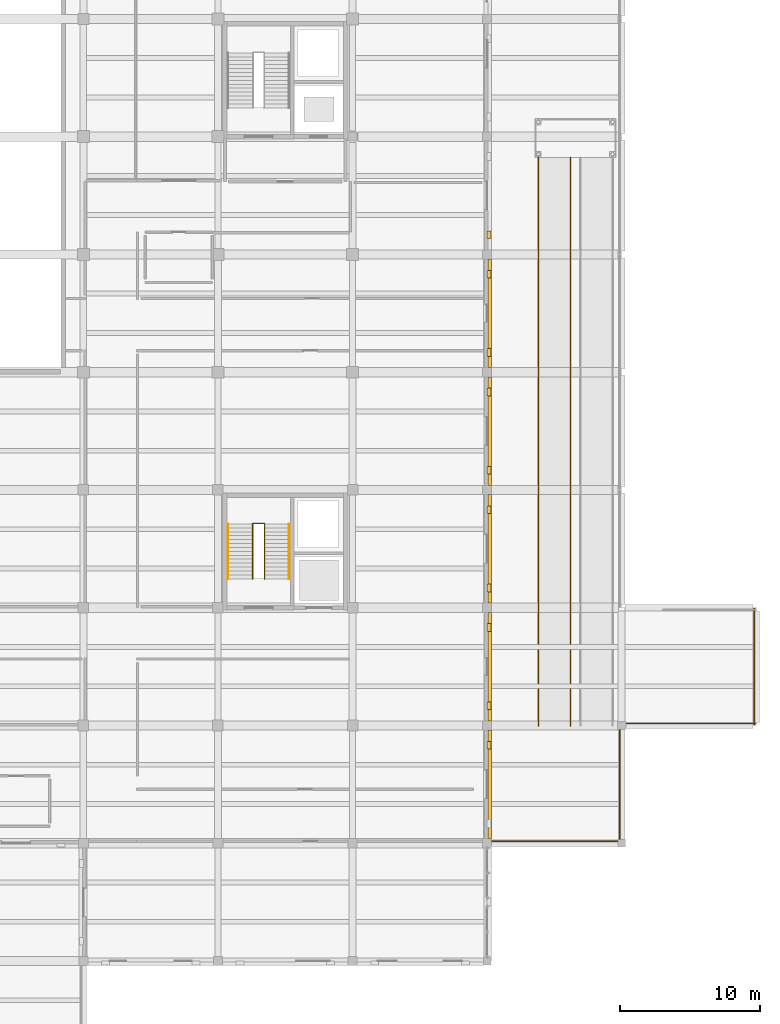
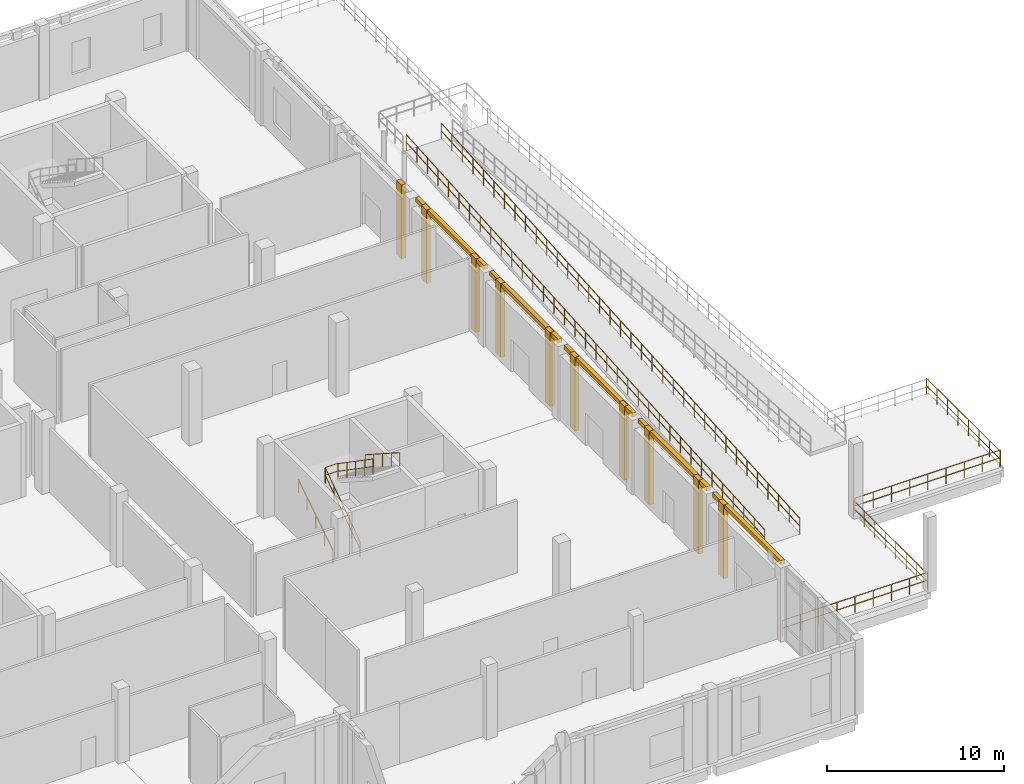
# One storey, part 68 of 71: 15 coverings, 11 railings.
"""IFC4 building model written with IfcOpenShell, lengths in metres."""

import ifcopenshell
import ifcopenshell.guid

model = None  # the IFC model being written
_history = None  # IfcOwnerHistory: only IFC2X3 demands one
_inside = {}  # id of a spatial element -> (the spatial element, [elements in it])
_under = {}  # id of a project, library or spatial element -> (it, [spatial elements below it])
_declared = {}  # id of a project -> (the project, [libraries it declares])
_typed = {}  # id of a type object -> (the type object, [elements of that type])
_made_of = {}  # id of a material, layer set ... -> (it, [elements and type objects made of it])


def new_model(schema):
    """Start an empty IFC model of exactly this schema.

    Asked for "IFC4X3", IfcOpenShell would pick the latest addendum, in which some entities
    have other attributes; the version numbers below select the first issue.
    IFC2X3 requires an IfcOwnerHistory on every rooted entity: one is made here for all.
    """
    global model, _history
    if schema == "IFC4X3":
        model = ifcopenshell.file(schema_version=(4, 3, 0, 0))
    else:
        model = ifcopenshell.file(schema=schema)
    _inside.clear()
    _under.clear()
    _declared.clear()
    _typed.clear()
    _made_of.clear()
    _history = None
    if model.schema == "IFC2X3":
        org = make("IfcOrganization", Name="unknown")
        user = make(
            "IfcPersonAndOrganization",
            ThePerson=make("IfcPerson", FamilyName="unknown"),
            TheOrganization=org,
        )
        app = make(
            "IfcApplication",
            ApplicationDeveloper=org,
            Version="unknown",
            ApplicationFullName="unknown",
            ApplicationIdentifier="unknown",
        )
        _history = make(
            "IfcOwnerHistory",
            OwningUser=user,
            OwningApplication=app,
            ChangeAction="ADDED",
            CreationDate=0,
        )
    return model


def make(cls, **values):
    """One entity of the class cls with the attributes given. An attribute that is None is left unset."""
    return model.create_entity(
        cls, **{name: value for name, value in values.items() if value is not None}
    )


def rooted(cls, **values):
    """An entity with a GlobalId (a new one), such as an element, a storey or a relation."""
    return make(cls, GlobalId=ifcopenshell.guid.new(), OwnerHistory=_history, **values)


def si_unit(unit_type, name, prefix=None):
    """IfcSIUnit, for example si_unit("LENGTHUNIT", "METRE", prefix="MILLI")."""
    return make("IfcSIUnit", UnitType=unit_type, Prefix=prefix, Name=name)


def assignment(units):
    """IfcUnitAssignment: the units of a project."""
    return None if units is None else make("IfcUnitAssignment", Units=units)


def point(xyz):
    """IfcCartesianPoint."""
    return None if xyz is None else make("IfcCartesianPoint", Coordinates=xyz)


def direction(xyz):
    """IfcDirection."""
    return None if xyz is None else make("IfcDirection", DirectionRatios=xyz)


def frame(location, z_axis=None, x_axis=None):
    """IfcAxis2Placement3D, a coordinate frame: its origin and axes. An axis left out is left unset."""
    return make(
        "IfcAxis2Placement3D",
        Location=point(location),
        Axis=direction(z_axis),
        RefDirection=direction(x_axis),
    )


def frame_2d(location, x_axis=None):
    """IfcAxis2Placement2D, a coordinate frame in the plane: its origin and x axis."""
    return make(
        "IfcAxis2Placement2D", Location=point(location), RefDirection=direction(x_axis)
    )


def origin():
    """The frame at (0, 0, 0) with its axes left unset."""
    return frame((0.0, 0.0, 0.0))


def origin_2d():
    """The frame at (0, 0) in the plane with its x axis left unset."""
    return frame_2d((0.0, 0.0))


def place(relative_to, where):
    """IfcLocalPlacement: puts the frame where relative to a parent placement (None: the world)."""
    return make(
        "IfcLocalPlacement", PlacementRelTo=relative_to, RelativePlacement=where
    )


def context(
    kind, dimensions, precision=None, world=None, true_north=None, identifier=None
):
    """IfcGeometricRepresentationContext, for example the 3D "Model" context."""
    return make(
        "IfcGeometricRepresentationContext",
        ContextIdentifier=identifier,
        ContextType=kind,
        CoordinateSpaceDimension=dimensions,
        Precision=precision,
        WorldCoordinateSystem=world,
        TrueNorth=true_north,
    )


def subcontext(parent, identifier, kind, view, scale=None):
    """IfcGeometricRepresentationSubContext, for example "Body" below "Model"."""
    return make(
        "IfcGeometricRepresentationSubContext",
        ContextIdentifier=identifier,
        ContextType=kind,
        ParentContext=parent,
        TargetScale=scale,
        TargetView=view,
    )


def project(units=None, contexts=None):
    """IfcProject with its units and contexts."""
    return rooted(
        "IfcProject",
        Name="project",
        RepresentationContexts=contexts,
        UnitsInContext=assignment(units),
    )


def spatial(cls, under=None, at=None, **own):
    """A site, building, storey or space (cls), placed at a placement, below another one or the project."""
    s = rooted(cls, ObjectPlacement=at, **own)
    if under is not None:
        _under.setdefault(under.id(), (under, []))[1].append(s)
    return s


def polyline(points):
    """IfcPolyline through the points."""
    return make("IfcPolyline", Points=[point(p) for p in points])


def profile(cls, at=None, kind="AREA", **sizes):
    """A parametric profile (cls). Its sizes go by their IFC names, for example OverallWidth=200.0."""
    return make(cls, ProfileType=kind, Position=at, **sizes)


def circle(**sizes):
    """IfcCircleProfileDef."""
    return profile("IfcCircleProfileDef", **sizes)


def outline(outer, holes=None, kind="AREA"):
    """IfcArbitraryClosedProfileDef: a profile drawn as a closed curve; with holes, ...WithVoids."""
    if holes is None:
        return make("IfcArbitraryClosedProfileDef", ProfileType=kind, OuterCurve=outer)
    return make(
        "IfcArbitraryProfileDefWithVoids",
        ProfileType=kind,
        OuterCurve=outer,
        InnerCurves=holes,
    )


def extrude(swept, where, along, depth):
    """IfcExtrudedAreaSolid: the profile swept, set in the frame where, extruded along a direction by depth."""
    return make(
        "IfcExtrudedAreaSolid",
        SweptArea=swept,
        Position=where,
        ExtrudedDirection=direction(along),
        Depth=depth,
    )


def shape(context_of_items, identifier, shape_type, items):
    """IfcShapeRepresentation: the items that make up one representation, for example the "Body"."""
    return make(
        "IfcShapeRepresentation",
        ContextOfItems=context_of_items,
        RepresentationIdentifier=identifier,
        RepresentationType=shape_type,
        Items=items,
    )


def material(Name=None, Category=None):
    """IfcMaterial."""
    return make("IfcMaterial", Name=Name, Category=Category)


def layer(
    of_material, thickness, ventilated=None, Name=None, Category=None, Priority=None
):
    """IfcMaterialLayer: one layer of a wall or slab, of a material (None: an air gap)."""
    return make(
        "IfcMaterialLayer",
        Material=of_material,
        LayerThickness=thickness,
        IsVentilated=ventilated,
        Name=Name,
        Category=Category,
        Priority=Priority,
    )


def layer_set(layers, Name=None):
    """IfcMaterialLayerSet."""
    return make("IfcMaterialLayerSet", MaterialLayers=layers, LayerSetName=Name)


def made_of(thing, what):
    """Note that an element or type object is made of a material, layer set ...; save() writes the relation."""
    if what is not None:
        _made_of.setdefault(what.id(), (what, []))[1].append(thing)
    return thing


def type_object(cls, material=None, **own):
    """A type object (cls), such as IfcWallType, which elements share."""
    return made_of(rooted(cls, **own), material)


def element(
    cls,
    number,
    at=None,
    inside=None,
    cuts=None,
    type_object=None,
    material=None,
    context=None,
    identifier="Body",
    shape_type=None,
    held_by="IfcProductDefinitionShape",
    body=None,
    shapes=None,
    **own,
):
    """One element of the class cls, such as IfcWall. Its Tag is "e" and its number.

    at: its placement. inside: the storey or other place that contains it. cuts: it is an
    opening in that element (IfcRelVoidsElement). A single representation is given by context,
    identifier, shape_type and body (its items); several are given by shapes. held_by: the class
    of the entity that holds the representations. save() writes the other relations.
    """
    e = rooted(cls, Tag="e%d" % number, ObjectPlacement=at, **own)
    if body is not None:
        shapes = [shape(context, identifier, shape_type, body)]
    if shapes is not None:
        e.Representation = make(held_by, Representations=shapes)
    if inside is not None:
        _inside.setdefault(inside.id(), (inside, []))[1].append(e)
    if cuts is not None:
        rooted(
            "IfcRelVoidsElement", RelatingBuildingElement=cuts, RelatedOpeningElement=e
        )
    if type_object is not None:
        _typed.setdefault(type_object.id(), (type_object, []))[1].append(e)
    return made_of(e, material)


def aggregate(whole, parts):
    """IfcRelAggregates: a whole, such as a stair, and the parts it consists of."""
    return rooted("IfcRelAggregates", RelatingObject=whole, RelatedObjects=parts)


def save(model, path):
    """Write the relations noted so far, then the file.

    IfcRelAggregates (storeys below a building ...), IfcRelContainedInSpatialStructure (elements
    in a storey), IfcRelDefinesByType, IfcRelAssociatesMaterial and IfcRelDeclares: one each for
    every whole, place, type object, material and project.
    """
    for whole, parts in _under.values():
        aggregate(whole, parts)
    for where, things in _inside.values():
        rooted(
            "IfcRelContainedInSpatialStructure",
            RelatedElements=things,
            RelatingStructure=where,
        )
    for kind, things in _typed.values():
        rooted("IfcRelDefinesByType", RelatedObjects=things, RelatingType=kind)
    for what, things in _made_of.values():
        rooted("IfcRelAssociatesMaterial", RelatedObjects=things, RelatingMaterial=what)
    for by, libraries in _declared.values():
        rooted("IfcRelDeclares", RelatingContext=by, RelatedDefinitions=libraries)
    model.write(path)


model = new_model("IFC4")

# Units and contexts
model_context = context("Model", 3, precision=1e-05, world=origin(), true_north=direction((0.0, 1.0)))
body_context = subcontext(model_context, "Body", "Model", "MODEL_VIEW")
ifc_project = project(units=[si_unit("LENGTHUNIT", "METRE"), si_unit("AREAUNIT", "SQUARE_METRE"), si_unit("VOLUMEUNIT", "CUBIC_METRE"), si_unit("PLANEANGLEUNIT", "RADIAN"), si_unit("MASSUNIT", "GRAM", prefix="KILO")], contexts=[model_context])

# Site, building, storey
site_placement = place(None, origin())
site = spatial("IfcSite", under=ifc_project, at=site_placement, CompositionType="ELEMENT")
building_placement = place(site_placement, origin())
building = spatial("IfcBuilding", under=site, at=building_placement, Name="Lornevale Opera House", CompositionType="ELEMENT")
storey_placement = place(building_placement, origin())
storey = spatial("IfcBuildingStorey", under=building, at=storey_placement, Name="L01", CompositionType="ELEMENT", Elevation=0.0)

# Coverings
ifc_material_1 = material(Name="Precast Concrete 40 MPa (CSA A23.1 C-1)", Category="concrete")
ifc_layer_1 = layer(ifc_material_1, 0.260009765625)
ifc_layer_set_1 = layer_set([ifc_layer_1], Name="Precast Concrete 40 MPa (CSA A23.1 C-1)")
covering_type_1 = type_object("IfcCoveringType", Name="Postmodern Sandstone Pilaster Rib", PredefinedType="CLADDING", material=ifc_layer_set_1)
covering_1_placement = place(storey_placement, origin())
element("IfcCovering", 1, at=covering_1_placement, inside=storey, type_object=covering_type_1, Name="Postmodern Sandstone Pilaster 0160", PredefinedType="CLADDING", context=body_context, shape_type="SweptSolid", body=[
    extrude(outline(polyline([(153.60009765625, 24.070068359375), (153.60009765625, 23.510009765625), (153.8798828125, 23.510009765625), (153.8798828125, 24.070068359375), (153.60009765625, 24.070068359375)])), origin(), (0.0, 0.0, 1.0), 5.10009765625),
])
covering_2_placement = place(storey_placement, origin())
element("IfcCovering", 2, at=covering_2_placement, inside=storey, type_object=covering_type_1, Name="Postmodern Sandstone Pilaster 0163", PredefinedType="CLADDING", context=body_context, shape_type="SweptSolid", body=[
    extrude(outline(polyline([(153.60009765625, 32.469970703125), (153.60009765625, 31.909912109375), (153.8798828125, 31.909912109375), (153.8798828125, 32.469970703125), (153.60009765625, 32.469970703125)])), origin(), (0.0, 0.0, 1.0), 5.10009765625),
])
covering_3_placement = place(storey_placement, origin())
element("IfcCovering", 3, at=covering_3_placement, inside=storey, type_object=covering_type_1, Name="Postmodern Sandstone Pilaster 0164", PredefinedType="CLADDING", context=body_context, shape_type="SweptSolid", body=[
    extrude(outline(polyline([(153.60009765625, 26.889892578125), (153.60009765625, 26.330078125), (153.8798828125, 26.330078125), (153.8798828125, 26.889892578125), (153.60009765625, 26.889892578125)])), origin(), (0.0, 0.0, 1.0), 5.10009765625),
])
covering_4_placement = place(storey_placement, origin())
element("IfcCovering", 4, at=covering_4_placement, inside=storey, type_object=covering_type_1, Name="Postmodern Sandstone Pilaster 0166", PredefinedType="CLADDING", context=body_context, shape_type="SweptSolid", body=[
    extrude(outline(polyline([(153.60009765625, 40.8701171875), (153.60009765625, 40.31005859375), (153.8798828125, 40.31005859375), (153.8798828125, 40.8701171875), (153.60009765625, 40.8701171875)])), origin(), (0.0, 0.0, 1.0), 5.10009765625),
])
covering_5_placement = place(storey_placement, origin())
element("IfcCovering", 5, at=covering_5_placement, inside=storey, type_object=covering_type_1, Name="Postmodern Sandstone Pilaster 0167", PredefinedType="CLADDING", context=body_context, shape_type="SweptSolid", body=[
    extrude(outline(polyline([(153.60009765625, 35.2900390625), (153.60009765625, 34.72998046875), (153.8798828125, 34.72998046875), (153.8798828125, 35.2900390625), (153.60009765625, 35.2900390625)])), origin(), (0.0, 0.0, 1.0), 5.10009765625),
])
covering_6_placement = place(storey_placement, origin())
element("IfcCovering", 6, at=covering_6_placement, inside=storey, type_object=covering_type_1, Name="Postmodern Sandstone Pilaster 0169", PredefinedType="CLADDING", context=body_context, shape_type="SweptSolid", body=[
    extrude(outline(polyline([(153.60009765625, 49.27001953125), (153.60009765625, 48.7099609375), (153.8798828125, 48.7099609375), (153.8798828125, 49.27001953125), (153.60009765625, 49.27001953125)])), origin(), (0.0, 0.0, 1.0), 5.10009765625),
])
covering_7_placement = place(storey_placement, origin())
element("IfcCovering", 7, at=covering_7_placement, inside=storey, type_object=covering_type_1, Name="Postmodern Sandstone Pilaster 0170", PredefinedType="CLADDING", context=body_context, shape_type="SweptSolid", body=[
    extrude(outline(polyline([(153.60009765625, 43.68994140625), (153.60009765625, 43.1298828125), (153.8798828125, 43.1298828125), (153.8798828125, 43.68994140625), (153.60009765625, 43.68994140625)])), origin(), (0.0, 0.0, 1.0), 5.10009765625),
])
covering_8_placement = place(storey_placement, origin())
element("IfcCovering", 8, at=covering_8_placement, inside=storey, type_object=covering_type_1, Name="Postmodern Sandstone Pilaster 0172", PredefinedType="CLADDING", context=body_context, shape_type="SweptSolid", body=[
    extrude(outline(polyline([(153.60009765625, 57.669921875), (153.60009765625, 57.110107421875), (153.8798828125, 57.110107421875), (153.8798828125, 57.669921875), (153.60009765625, 57.669921875)])), origin(), (0.0, 0.0, 1.0), 5.10009765625),
])
covering_9_placement = place(storey_placement, origin())
element("IfcCovering", 9, at=covering_9_placement, inside=storey, type_object=covering_type_1, Name="Postmodern Sandstone Pilaster 0173", PredefinedType="CLADDING", context=body_context, shape_type="SweptSolid", body=[
    extrude(outline(polyline([(153.60009765625, 52.090087890625), (153.60009765625, 51.530029296875), (153.8798828125, 51.530029296875), (153.8798828125, 52.090087890625), (153.60009765625, 52.090087890625)])), origin(), (0.0, 0.0, 1.0), 5.10009765625),
])
covering_10_placement = place(storey_placement, origin())
element("IfcCovering", 10, at=covering_10_placement, inside=storey, type_object=covering_type_1, Name="Postmodern Sandstone Pilaster 0176", PredefinedType="CLADDING", context=body_context, shape_type="SweptSolid", body=[
    extrude(outline(polyline([(153.60009765625, 60.489990234375), (153.60009765625, 59.929931640625), (153.8798828125, 59.929931640625), (153.8798828125, 60.489990234375), (153.60009765625, 60.489990234375)])), origin(), (0.0, 0.0, 1.0), 5.10009765625),
])
ifc_material_2 = material(Name="Queenston Buff Limestone Ashlar Masonry (25 MPa)", Category="masonry")
ifc_layer_2 = layer(ifc_material_2, 0.1201171875)
ifc_layer_set_2 = layer_set([ifc_layer_2], Name="Queenston Buff Limestone Ashlar Masonry (25 MPa)")
covering_type_2 = type_object("IfcCoveringType", Name="Precast Limestone Cornice Band", PredefinedType="CLADDING", material=ifc_layer_set_2)
covering_11_placement = place(storey_placement, frame((0.0, 0.0, 4.820068359375)))
element("IfcCovering", 11, at=covering_11_placement, inside=storey, type_object=covering_type_2, Name="Precast Limestone Cornice Band 0162", PredefinedType="CLADDING", context=body_context, shape_type="SweptSolid", body=[
    extrude(outline(polyline([(153.659912109375, 24.875), (153.659912109375, 17.125), (153.919921875, 17.125), (153.919921875, 24.875), (153.659912109375, 24.875)])), origin(), (0.0, 0.0, 1.0), 0.280029296875),
])
covering_12_placement = place(storey_placement, frame((0.0, 0.0, 4.820068359375)))
element("IfcCovering", 12, at=covering_12_placement, inside=storey, type_object=covering_type_2, Name="Precast Limestone Cornice Band 0165", PredefinedType="CLADDING", context=body_context, shape_type="SweptSolid", body=[
    extrude(outline(polyline([(153.659912109375, 33.27490234375), (153.659912109375, 25.52490234375), (153.919921875, 25.52490234375), (153.919921875, 33.27490234375), (153.659912109375, 33.27490234375)])), origin(), (0.0, 0.0, 1.0), 0.280029296875),
])
covering_13_placement = place(storey_placement, frame((0.0, 0.0, 4.820068359375)))
element("IfcCovering", 13, at=covering_13_placement, inside=storey, type_object=covering_type_2, Name="Precast Limestone Cornice Band 0168", PredefinedType="CLADDING", context=body_context, shape_type="SweptSolid", body=[
    extrude(outline(polyline([(153.659912109375, 41.675048828125), (153.659912109375, 33.925048828125), (153.919921875, 33.925048828125), (153.919921875, 41.675048828125), (153.659912109375, 41.675048828125)])), origin(), (0.0, 0.0, 1.0), 0.280029296875),
])
covering_14_placement = place(storey_placement, frame((0.0, 0.0, 4.820068359375)))
element("IfcCovering", 14, at=covering_14_placement, inside=storey, type_object=covering_type_2, Name="Precast Limestone Cornice Band 0171", PredefinedType="CLADDING", context=body_context, shape_type="SweptSolid", body=[
    extrude(outline(polyline([(153.659912109375, 50.074951171875), (153.659912109375, 42.324951171875), (153.919921875, 42.324951171875), (153.919921875, 50.074951171875), (153.659912109375, 50.074951171875)])), origin(), (0.0, 0.0, 1.0), 0.280029296875),
])
covering_15_placement = place(storey_placement, frame((0.0, 0.0, 4.820068359375)))
element("IfcCovering", 15, at=covering_15_placement, inside=storey, type_object=covering_type_2, Name="Precast Limestone Cornice Band 0174", PredefinedType="CLADDING", context=body_context, shape_type="SweptSolid", body=[
    extrude(outline(polyline([(153.659912109375, 58.47509765625), (153.659912109375, 50.72509765625), (153.919921875, 50.72509765625), (153.919921875, 58.47509765625), (153.659912109375, 58.47509765625)])), origin(), (0.0, 0.0, 1.0), 0.280029296875),
])

# Railings
ifc_material_3 = material(Name="Structural Steel CSA G40.21 Grade 350W (350 MPa)", Category="steel")
ifc_layer_3 = layer(ifc_material_3, 0.050048828125)
ifc_layer_set_3 = layer_set([ifc_layer_3], Name="Structural Steel CSA G40.21 Grade 350W (350 MPa)")
railing_type_1 = type_object("IfcRailingType", Name="Stair Well Guardrail 1100", PredefinedType="GUARDRAIL", material=ifc_layer_set_3)
railing_1_placement = place(storey_placement, frame((136.8798828125, 35.659912109375, 0.0)))
element("IfcRailing", 16, at=railing_1_placement, inside=storey, type_object=railing_type_1, Name="ST-37 Inner Well Guard F1", PredefinedType="GUARDRAIL", context=body_context, shape_type="SweptSolid", body=[
    extrude(circle(Radius=0.02392578125, at=origin_2d()), frame((0.0, 0.0, 1.076171875), z_axis=(0.0, 0.823567234665, 0.567218661528), x_axis=(-1.0, 0.0, 0.0)), (0.0, 0.0, 1.0), 4.760009765625),
    extrude(circle(Radius=0.02392578125, at=origin_2d()), frame((0.0, 0.0, 0.550048828125), z_axis=(0.0, 0.823567234665, 0.567218661528), x_axis=(-1.0, 0.0, 0.0)), (0.0, 0.0, 1.0), 4.760009765625),
    extrude(circle(Radius=0.02099609375, at=origin_2d()), origin(), (0.0, 0.0, 1.0), 1.052001953125),
    extrude(circle(Radius=0.02099609375, at=origin_2d()), frame((0.0, 0.97998046875, 0.675048828125)), (0.0, 0.0, 1.0), 1.052001953125),
    extrude(circle(Radius=0.02099609375, at=origin_2d()), frame((0.0, 1.9599609375, 1.35009765625)), (0.0, 0.0, 1.0), 1.052001953125),
    extrude(circle(Radius=0.02099609375, at=origin_2d()), frame((0.0, 2.940185546875, 2.02490234375)), (0.0, 0.0, 1.0), 1.052001953125),
    extrude(circle(Radius=0.02099609375, at=origin_2d()), frame((0.0, 3.920166015625, 2.699951171875)), (0.0, 0.0, 1.0), 1.052001953125),
])
railing_2_placement = place(storey_placement, frame((137.719970703125, 39.580078125, 2.699951171875)))
element("IfcRailing", 17, at=railing_2_placement, inside=storey, type_object=railing_type_1, Name="ST-37 Inner Well Guard F2", PredefinedType="GUARDRAIL", context=body_context, shape_type="SweptSolid", body=[
    extrude(circle(Radius=0.02392578125, at=origin_2d()), frame((0.0, 0.0, 1.076171875), z_axis=(0.0, -0.823567234665, 0.567218661528), x_axis=(1.0, 0.0, 0.0)), (0.0, 0.0, 1.0), 4.760009765625),
    extrude(circle(Radius=0.02392578125, at=origin_2d()), frame((0.0, 0.0, 0.550048828125), z_axis=(0.0, -0.823567234665, 0.567218661528), x_axis=(1.0, 0.0, 0.0)), (0.0, 0.0, 1.0), 4.760009765625),
    extrude(circle(Radius=0.02099609375, at=origin_2d()), origin(), (0.0, 0.0, 1.0), 1.052001953125),
    extrude(circle(Radius=0.02099609375, at=origin_2d()), frame((0.0, -0.97998046875, 0.675048828125)), (0.0, 0.0, 1.0), 1.052001953125),
    extrude(circle(Radius=0.02099609375, at=origin_2d()), frame((0.0, -1.9599609375, 1.35009765625)), (0.0, 0.0, 1.0), 1.052001953125),
    extrude(circle(Radius=0.02099609375, at=origin_2d()), frame((0.0, -2.940185546875, 2.02490234375)), (0.0, 0.0, 1.0), 1.052001953125),
    extrude(circle(Radius=0.02099609375, at=origin_2d()), frame((0.0, -3.920166015625, 2.699951171875)), (0.0, 0.0, 1.0), 1.052001953125),
])
railing_3_placement = place(storey_placement, frame((136.8798828125, 39.610107421875, 2.699951171875)))
element("IfcRailing", 18, at=railing_3_placement, inside=storey, type_object=railing_type_1, Name="ST-37 Half-Landing Slot Guard", PredefinedType="GUARDRAIL", context=body_context, shape_type="SweptSolid", body=[
    extrude(circle(Radius=0.02392578125, at=origin_2d()), frame((0.0, 0.0, 1.076171875), z_axis=(1.0, 0.0, 0.0), x_axis=(0.0, 1.0, 0.0)), (0.0, 0.0, 1.0), 0.840087890625),
    extrude(circle(Radius=0.02392578125, at=origin_2d()), frame((0.0, 0.0, 0.550048828125), z_axis=(1.0, 0.0, 0.0), x_axis=(0.0, 1.0, 0.0)), (0.0, 0.0, 1.0), 0.840087890625),
    extrude(circle(Radius=0.02099609375, at=origin_2d()), origin(), (0.0, 0.0, 1.0), 1.052001953125),
    extrude(circle(Radius=0.02099609375, at=origin_2d()), frame((0.840087890625, 0.0, 0.0)), (0.0, 0.0, 1.0), 1.052001953125),
])
ifc_layer_4 = layer(ifc_material_3, 0.06005859375)
ifc_layer_set_4 = layer_set([ifc_layer_4], Name="Structural Steel CSA G40.21 Grade 350W (350 MPa)")
railing_type_2 = type_object("IfcRailingType", Name="Terrace Tubular Guardrail 1120", PredefinedType="GUARDRAIL", material=ifc_layer_set_4)
railing_4_placement = place(storey_placement, frame((159.5400390625, 25.179931640625, 0.0)))
element("IfcRailing", 19, at=railing_4_placement, inside=storey, type_object=railing_type_2, Name="RP-05 Ramp Guardrail 0233", PredefinedType="GUARDRAIL", context=body_context, shape_type="SweptSolid", body=[
    extrude(circle(Radius=0.02392578125, at=origin_2d()), frame((0.0, 0.0, 1.09619140625), z_axis=(0.0, 0.997789595837, 0.06645240732), x_axis=(-1.0, 0.0, 0.0)), (0.0, 0.0, 1.0), 40.6298828125),
    extrude(circle(Radius=0.02392578125, at=origin_2d()), frame((0.0, 0.0, 0.56005859375), z_axis=(0.0, 0.997789595837, 0.06645240732), x_axis=(-1.0, 0.0, 0.0)), (0.0, 0.0, 1.0), 40.6298828125),
    extrude(circle(Radius=0.02099609375, at=origin_2d()), origin(), (0.0, 0.0, 1.0), 1.072021484375),
    extrude(circle(Radius=0.02099609375, at=origin_2d()), frame((0.0, 1.1923828125, 0.079345703125)), (0.0, 0.0, 1.0), 1.072021484375),
    extrude(circle(Radius=0.02099609375, at=origin_2d()), frame((0.0, 2.384765625, 0.158935546875)), (0.0, 0.0, 1.0), 1.072021484375),
    extrude(circle(Radius=0.02099609375, at=origin_2d()), frame((0.0, 3.5771484375, 0.23828125)), (0.0, 0.0, 1.0), 1.072021484375),
    extrude(circle(Radius=0.02099609375, at=origin_2d()), frame((0.0, 4.76953125, 0.317626953125)), (0.0, 0.0, 1.0), 1.072021484375),
    extrude(circle(Radius=0.02099609375, at=origin_2d()), frame((0.0, 5.961669921875, 0.39697265625)), (0.0, 0.0, 1.0), 1.072021484375),
    extrude(circle(Radius=0.02099609375, at=origin_2d()), frame((0.0, 7.154052734375, 0.4765625)), (0.0, 0.0, 1.0), 1.072021484375),
    extrude(circle(Radius=0.02099609375, at=origin_2d()), frame((0.0, 8.346435546875, 0.555908203125)), (0.0, 0.0, 1.0), 1.072021484375),
    extrude(circle(Radius=0.02099609375, at=origin_2d()), frame((0.0, 9.538818359375, 0.63525390625)), (0.0, 0.0, 1.0), 1.072021484375),
    extrude(circle(Radius=0.02099609375, at=origin_2d()), frame((0.0, 10.731201171875, 0.714599609375)), (0.0, 0.0, 1.0), 1.072021484375),
    extrude(circle(Radius=0.02099609375, at=origin_2d()), frame((0.0, 11.923583984375, 0.794189453125)), (0.0, 0.0, 1.0), 1.072021484375),
    extrude(circle(Radius=0.02099609375, at=origin_2d()), frame((0.0, 13.115966796875, 0.87353515625)), (0.0, 0.0, 1.0), 1.072021484375),
    extrude(circle(Radius=0.02099609375, at=origin_2d()), frame((0.0, 14.308349609375, 0.952880859375)), (0.0, 0.0, 1.0), 1.072021484375),
    extrude(circle(Radius=0.02099609375, at=origin_2d()), frame((0.0, 15.50048828125, 1.0322265625)), (0.0, 0.0, 1.0), 1.072021484375),
    extrude(circle(Radius=0.02099609375, at=origin_2d()), frame((0.0, 16.69287109375, 1.11181640625)), (0.0, 0.0, 1.0), 1.072021484375),
    extrude(circle(Radius=0.02099609375, at=origin_2d()), frame((0.0, 17.88525390625, 1.191162109375)), (0.0, 0.0, 1.0), 1.072021484375),
    extrude(circle(Radius=0.02099609375, at=origin_2d()), frame((0.0, 19.07763671875, 1.2705078125)), (0.0, 0.0, 1.0), 1.072021484375),
    extrude(circle(Radius=0.02099609375, at=origin_2d()), frame((0.0, 20.27001953125, 1.35009765625)), (0.0, 0.0, 1.0), 1.072021484375),
    extrude(circle(Radius=0.02099609375, at=origin_2d()), frame((0.0, 21.46240234375, 1.429443359375)), (0.0, 0.0, 1.0), 1.072021484375),
    extrude(circle(Radius=0.02099609375, at=origin_2d()), frame((0.0, 22.65478515625, 1.5087890625)), (0.0, 0.0, 1.0), 1.072021484375),
    extrude(circle(Radius=0.02099609375, at=origin_2d()), frame((0.0, 23.84716796875, 1.588134765625)), (0.0, 0.0, 1.0), 1.072021484375),
    extrude(circle(Radius=0.02099609375, at=origin_2d()), frame((0.0, 25.03955078125, 1.667724609375)), (0.0, 0.0, 1.0), 1.072021484375),
    extrude(circle(Radius=0.02099609375, at=origin_2d()), frame((0.0, 26.231689453125, 1.7470703125)), (0.0, 0.0, 1.0), 1.072021484375),
    extrude(circle(Radius=0.02099609375, at=origin_2d()), frame((0.0, 27.424072265625, 1.826416015625)), (0.0, 0.0, 1.0), 1.072021484375),
    extrude(circle(Radius=0.02099609375, at=origin_2d()), frame((0.0, 28.616455078125, 1.90576171875)), (0.0, 0.0, 1.0), 1.072021484375),
    extrude(circle(Radius=0.02099609375, at=origin_2d()), frame((0.0, 29.808837890625, 1.9853515625)), (0.0, 0.0, 1.0), 1.072021484375),
    extrude(circle(Radius=0.02099609375, at=origin_2d()), frame((0.0, 31.001220703125, 2.064697265625)), (0.0, 0.0, 1.0), 1.072021484375),
    extrude(circle(Radius=0.02099609375, at=origin_2d()), frame((0.0, 32.193603515625, 2.14404296875)), (0.0, 0.0, 1.0), 1.072021484375),
    extrude(circle(Radius=0.02099609375, at=origin_2d()), frame((0.0, 33.385986328125, 2.223388671875)), (0.0, 0.0, 1.0), 1.072021484375),
    extrude(circle(Radius=0.02099609375, at=origin_2d()), frame((0.0, 34.578369140625, 2.302978515625)), (0.0, 0.0, 1.0), 1.072021484375),
    extrude(circle(Radius=0.02099609375, at=origin_2d()), frame((0.0, 35.7705078125, 2.38232421875)), (0.0, 0.0, 1.0), 1.072021484375),
    extrude(circle(Radius=0.02099609375, at=origin_2d()), frame((0.0, 36.962890625, 2.461669921875)), (0.0, 0.0, 1.0), 1.072021484375),
    extrude(circle(Radius=0.02099609375, at=origin_2d()), frame((0.0, 38.1552734375, 2.541015625)), (0.0, 0.0, 1.0), 1.072021484375),
    extrude(circle(Radius=0.02099609375, at=origin_2d()), frame((0.0, 39.34765625, 2.62060546875)), (0.0, 0.0, 1.0), 1.072021484375),
    extrude(circle(Radius=0.02099609375, at=origin_2d()), frame((0.0, 40.5400390625, 2.699951171875)), (0.0, 0.0, 1.0), 1.072021484375),
])
railing_5_placement = place(storey_placement, frame((157.260009765625, 25.179931640625, 0.0)))
element("IfcRailing", 20, at=railing_5_placement, inside=storey, type_object=railing_type_2, Name="RP-05 Ramp Guardrail 0234", PredefinedType="GUARDRAIL", context=body_context, shape_type="SweptSolid", body=[
    extrude(circle(Radius=0.02392578125, at=origin_2d()), frame((0.0, 0.0, 1.09619140625), z_axis=(0.0, 0.997789595837, 0.06645240732), x_axis=(-1.0, 0.0, 0.0)), (0.0, 0.0, 1.0), 40.6298828125),
    extrude(circle(Radius=0.02392578125, at=origin_2d()), frame((0.0, 0.0, 0.56005859375), z_axis=(0.0, 0.997789595837, 0.06645240732), x_axis=(-1.0, 0.0, 0.0)), (0.0, 0.0, 1.0), 40.6298828125),
    extrude(circle(Radius=0.02099609375, at=origin_2d()), origin(), (0.0, 0.0, 1.0), 1.072021484375),
    extrude(circle(Radius=0.02099609375, at=origin_2d()), frame((0.0, 1.1923828125, 0.079345703125)), (0.0, 0.0, 1.0), 1.072021484375),
    extrude(circle(Radius=0.02099609375, at=origin_2d()), frame((0.0, 2.384765625, 0.158935546875)), (0.0, 0.0, 1.0), 1.072021484375),
    extrude(circle(Radius=0.02099609375, at=origin_2d()), frame((0.0, 3.5771484375, 0.23828125)), (0.0, 0.0, 1.0), 1.072021484375),
    extrude(circle(Radius=0.02099609375, at=origin_2d()), frame((0.0, 4.76953125, 0.317626953125)), (0.0, 0.0, 1.0), 1.072021484375),
    extrude(circle(Radius=0.02099609375, at=origin_2d()), frame((0.0, 5.961669921875, 0.39697265625)), (0.0, 0.0, 1.0), 1.072021484375),
    extrude(circle(Radius=0.02099609375, at=origin_2d()), frame((0.0, 7.154052734375, 0.4765625)), (0.0, 0.0, 1.0), 1.072021484375),
    extrude(circle(Radius=0.02099609375, at=origin_2d()), frame((0.0, 8.346435546875, 0.555908203125)), (0.0, 0.0, 1.0), 1.072021484375),
    extrude(circle(Radius=0.02099609375, at=origin_2d()), frame((0.0, 9.538818359375, 0.63525390625)), (0.0, 0.0, 1.0), 1.072021484375),
    extrude(circle(Radius=0.02099609375, at=origin_2d()), frame((0.0, 10.731201171875, 0.714599609375)), (0.0, 0.0, 1.0), 1.072021484375),
    extrude(circle(Radius=0.02099609375, at=origin_2d()), frame((0.0, 11.923583984375, 0.794189453125)), (0.0, 0.0, 1.0), 1.072021484375),
    extrude(circle(Radius=0.02099609375, at=origin_2d()), frame((0.0, 13.115966796875, 0.87353515625)), (0.0, 0.0, 1.0), 1.072021484375),
    extrude(circle(Radius=0.02099609375, at=origin_2d()), frame((0.0, 14.308349609375, 0.952880859375)), (0.0, 0.0, 1.0), 1.072021484375),
    extrude(circle(Radius=0.02099609375, at=origin_2d()), frame((0.0, 15.50048828125, 1.0322265625)), (0.0, 0.0, 1.0), 1.072021484375),
    extrude(circle(Radius=0.02099609375, at=origin_2d()), frame((0.0, 16.69287109375, 1.11181640625)), (0.0, 0.0, 1.0), 1.072021484375),
    extrude(circle(Radius=0.02099609375, at=origin_2d()), frame((0.0, 17.88525390625, 1.191162109375)), (0.0, 0.0, 1.0), 1.072021484375),
    extrude(circle(Radius=0.02099609375, at=origin_2d()), frame((0.0, 19.07763671875, 1.2705078125)), (0.0, 0.0, 1.0), 1.072021484375),
    extrude(circle(Radius=0.02099609375, at=origin_2d()), frame((0.0, 20.27001953125, 1.35009765625)), (0.0, 0.0, 1.0), 1.072021484375),
    extrude(circle(Radius=0.02099609375, at=origin_2d()), frame((0.0, 21.46240234375, 1.429443359375)), (0.0, 0.0, 1.0), 1.072021484375),
    extrude(circle(Radius=0.02099609375, at=origin_2d()), frame((0.0, 22.65478515625, 1.5087890625)), (0.0, 0.0, 1.0), 1.072021484375),
    extrude(circle(Radius=0.02099609375, at=origin_2d()), frame((0.0, 23.84716796875, 1.588134765625)), (0.0, 0.0, 1.0), 1.072021484375),
    extrude(circle(Radius=0.02099609375, at=origin_2d()), frame((0.0, 25.03955078125, 1.667724609375)), (0.0, 0.0, 1.0), 1.072021484375),
    extrude(circle(Radius=0.02099609375, at=origin_2d()), frame((0.0, 26.231689453125, 1.7470703125)), (0.0, 0.0, 1.0), 1.072021484375),
    extrude(circle(Radius=0.02099609375, at=origin_2d()), frame((0.0, 27.424072265625, 1.826416015625)), (0.0, 0.0, 1.0), 1.072021484375),
    extrude(circle(Radius=0.02099609375, at=origin_2d()), frame((0.0, 28.616455078125, 1.90576171875)), (0.0, 0.0, 1.0), 1.072021484375),
    extrude(circle(Radius=0.02099609375, at=origin_2d()), frame((0.0, 29.808837890625, 1.9853515625)), (0.0, 0.0, 1.0), 1.072021484375),
    extrude(circle(Radius=0.02099609375, at=origin_2d()), frame((0.0, 31.001220703125, 2.064697265625)), (0.0, 0.0, 1.0), 1.072021484375),
    extrude(circle(Radius=0.02099609375, at=origin_2d()), frame((0.0, 32.193603515625, 2.14404296875)), (0.0, 0.0, 1.0), 1.072021484375),
    extrude(circle(Radius=0.02099609375, at=origin_2d()), frame((0.0, 33.385986328125, 2.223388671875)), (0.0, 0.0, 1.0), 1.072021484375),
    extrude(circle(Radius=0.02099609375, at=origin_2d()), frame((0.0, 34.578369140625, 2.302978515625)), (0.0, 0.0, 1.0), 1.072021484375),
    extrude(circle(Radius=0.02099609375, at=origin_2d()), frame((0.0, 35.7705078125, 2.38232421875)), (0.0, 0.0, 1.0), 1.072021484375),
    extrude(circle(Radius=0.02099609375, at=origin_2d()), frame((0.0, 36.962890625, 2.461669921875)), (0.0, 0.0, 1.0), 1.072021484375),
    extrude(circle(Radius=0.02099609375, at=origin_2d()), frame((0.0, 38.1552734375, 2.541015625)), (0.0, 0.0, 1.0), 1.072021484375),
    extrude(circle(Radius=0.02099609375, at=origin_2d()), frame((0.0, 39.34765625, 2.62060546875)), (0.0, 0.0, 1.0), 1.072021484375),
    extrude(circle(Radius=0.02099609375, at=origin_2d()), frame((0.0, 40.5400390625, 2.699951171875)), (0.0, 0.0, 1.0), 1.072021484375),
])
railing_6_placement = place(storey_placement, frame((153.64990234375, 16.93994140625, 0.0)))
element("IfcRailing", 21, at=railing_6_placement, inside=storey, type_object=railing_type_2, Name="Terrace Perimeter Guard L01 0285", PredefinedType="GUARDRAIL", context=body_context, shape_type="SweptSolid", body=[
    extrude(circle(Radius=0.02392578125, at=origin_2d()), frame((0.0, 0.0, 1.09619140625), z_axis=(1.0, 0.0, 0.0), x_axis=(0.0, 1.0, 0.0)), (0.0, 0.0, 1.0), 9.5),
    extrude(circle(Radius=0.02392578125, at=origin_2d()), frame((0.0, 0.0, 0.56005859375), z_axis=(1.0, 0.0, 0.0), x_axis=(0.0, 1.0, 0.0)), (0.0, 0.0, 1.0), 9.5),
    extrude(circle(Radius=0.02099609375, at=origin_2d()), origin(), (0.0, 0.0, 1.0), 1.072021484375),
    extrude(circle(Radius=0.02099609375, at=origin_2d()), frame((1.1875, 0.0, 0.0)), (0.0, 0.0, 1.0), 1.072021484375),
    extrude(circle(Radius=0.02099609375, at=origin_2d()), frame((2.375, 0.0, 0.0)), (0.0, 0.0, 1.0), 1.072021484375),
    extrude(circle(Radius=0.02099609375, at=origin_2d()), frame((3.5625, 0.0, 0.0)), (0.0, 0.0, 1.0), 1.072021484375),
    extrude(circle(Radius=0.02099609375, at=origin_2d()), frame((4.75, 0.0, 0.0)), (0.0, 0.0, 1.0), 1.072021484375),
    extrude(circle(Radius=0.02099609375, at=origin_2d()), frame((5.9375, 0.0, 0.0)), (0.0, 0.0, 1.0), 1.072021484375),
    extrude(circle(Radius=0.02099609375, at=origin_2d()), frame((7.125, 0.0, 0.0)), (0.0, 0.0, 1.0), 1.072021484375),
    extrude(circle(Radius=0.02099609375, at=origin_2d()), frame((8.3125, 0.0, 0.0)), (0.0, 0.0, 1.0), 1.072021484375),
    extrude(circle(Radius=0.02099609375, at=origin_2d()), frame((9.5, 0.0, 0.0)), (0.0, 0.0, 1.0), 1.072021484375),
])
railing_7_placement = place(storey_placement, frame((163.06005859375, 16.85009765625, 0.0)))
element("IfcRailing", 22, at=railing_7_placement, inside=storey, type_object=railing_type_2, Name="Terrace Perimeter Guard L01 0286", PredefinedType="GUARDRAIL", context=body_context, shape_type="SweptSolid", body=[
    extrude(circle(Radius=0.02392578125, at=origin_2d()), frame((0.0, 0.0, 1.09619140625), z_axis=(0.0, 1.0, 0.0), x_axis=(-1.0, 0.0, 0.0)), (0.0, 0.0, 1.0), 8.2998046875),
    extrude(circle(Radius=0.02392578125, at=origin_2d()), frame((0.0, 0.0, 0.56005859375), z_axis=(0.0, 1.0, 0.0), x_axis=(-1.0, 0.0, 0.0)), (0.0, 0.0, 1.0), 8.2998046875),
    extrude(circle(Radius=0.02099609375, at=origin_2d()), origin(), (0.0, 0.0, 1.0), 1.072021484375),
    extrude(circle(Radius=0.02099609375, at=origin_2d()), frame((0.0, 1.185791015625, 0.0)), (0.0, 0.0, 1.0), 1.072021484375),
    extrude(circle(Radius=0.02099609375, at=origin_2d()), frame((0.0, 2.371337890625, 0.0)), (0.0, 0.0, 1.0), 1.072021484375),
    extrude(circle(Radius=0.02099609375, at=origin_2d()), frame((0.0, 3.55712890625, 0.0)), (0.0, 0.0, 1.0), 1.072021484375),
    extrude(circle(Radius=0.02099609375, at=origin_2d()), frame((0.0, 4.74267578125, 0.0)), (0.0, 0.0, 1.0), 1.072021484375),
    extrude(circle(Radius=0.02099609375, at=origin_2d()), frame((0.0, 5.928466796875, 0.0)), (0.0, 0.0, 1.0), 1.072021484375),
    extrude(circle(Radius=0.02099609375, at=origin_2d()), frame((0.0, 7.114013671875, 0.0)), (0.0, 0.0, 1.0), 1.072021484375),
    extrude(circle(Radius=0.02099609375, at=origin_2d()), frame((0.0, 8.2998046875, 0.0)), (0.0, 0.0, 1.0), 1.072021484375),
])
railing_8_placement = place(storey_placement, frame((163.25, 25.340087890625, 0.0)))
element("IfcRailing", 23, at=railing_8_placement, inside=storey, type_object=railing_type_2, Name="Terrace Perimeter Guard L01 0294", PredefinedType="GUARDRAIL", context=body_context, shape_type="SweptSolid", body=[
    extrude(circle(Radius=0.02392578125, at=origin_2d()), frame((0.0, 0.0, 1.09619140625), z_axis=(1.0, 0.0, 0.0), x_axis=(0.0, 1.0, 0.0)), (0.0, 0.0, 1.0), 9.5),
    extrude(circle(Radius=0.02392578125, at=origin_2d()), frame((0.0, 0.0, 0.56005859375), z_axis=(1.0, 0.0, 0.0), x_axis=(0.0, 1.0, 0.0)), (0.0, 0.0, 1.0), 9.5),
    extrude(circle(Radius=0.02099609375, at=origin_2d()), origin(), (0.0, 0.0, 1.0), 1.072021484375),
    extrude(circle(Radius=0.02099609375, at=origin_2d()), frame((1.1875, 0.0, 0.0)), (0.0, 0.0, 1.0), 1.072021484375),
    extrude(circle(Radius=0.02099609375, at=origin_2d()), frame((2.375, 0.0, 0.0)), (0.0, 0.0, 1.0), 1.072021484375),
    extrude(circle(Radius=0.02099609375, at=origin_2d()), frame((3.5625, 0.0, 0.0)), (0.0, 0.0, 1.0), 1.072021484375),
    extrude(circle(Radius=0.02099609375, at=origin_2d()), frame((4.75, 0.0, 0.0)), (0.0, 0.0, 1.0), 1.072021484375),
    extrude(circle(Radius=0.02099609375, at=origin_2d()), frame((5.9375, 0.0, 0.0)), (0.0, 0.0, 1.0), 1.072021484375),
    extrude(circle(Radius=0.02099609375, at=origin_2d()), frame((7.125, 0.0, 0.0)), (0.0, 0.0, 1.0), 1.072021484375),
    extrude(circle(Radius=0.02099609375, at=origin_2d()), frame((8.3125, 0.0, 0.0)), (0.0, 0.0, 1.0), 1.072021484375),
    extrude(circle(Radius=0.02099609375, at=origin_2d()), frame((9.5, 0.0, 0.0)), (0.0, 0.0, 1.0), 1.072021484375),
])
railing_9_placement = place(storey_placement, frame((172.659912109375, 25.25, 0.0)))
element("IfcRailing", 24, at=railing_9_placement, inside=storey, type_object=railing_type_2, Name="Terrace Perimeter Guard L01 0296", PredefinedType="GUARDRAIL", context=body_context, shape_type="SweptSolid", body=[
    extrude(circle(Radius=0.02392578125, at=origin_2d()), frame((0.0, 0.0, 1.09619140625), z_axis=(0.0, 1.0, 0.0), x_axis=(-1.0, 0.0, 0.0)), (0.0, 0.0, 1.0), 8.300048828125),
    extrude(circle(Radius=0.02392578125, at=origin_2d()), frame((0.0, 0.0, 0.56005859375), z_axis=(0.0, 1.0, 0.0), x_axis=(-1.0, 0.0, 0.0)), (0.0, 0.0, 1.0), 8.300048828125),
    extrude(circle(Radius=0.02099609375, at=origin_2d()), origin(), (0.0, 0.0, 1.0), 1.072021484375),
    extrude(circle(Radius=0.02099609375, at=origin_2d()), frame((0.0, 1.185791015625, 0.0)), (0.0, 0.0, 1.0), 1.072021484375),
    extrude(circle(Radius=0.02099609375, at=origin_2d()), frame((0.0, 2.371337890625, 0.0)), (0.0, 0.0, 1.0), 1.072021484375),
    extrude(circle(Radius=0.02099609375, at=origin_2d()), frame((0.0, 3.55712890625, 0.0)), (0.0, 0.0, 1.0), 1.072021484375),
    extrude(circle(Radius=0.02099609375, at=origin_2d()), frame((0.0, 4.742919921875, 0.0)), (0.0, 0.0, 1.0), 1.072021484375),
    extrude(circle(Radius=0.02099609375, at=origin_2d()), frame((0.0, 5.9287109375, 0.0)), (0.0, 0.0, 1.0), 1.072021484375),
    extrude(circle(Radius=0.02099609375, at=origin_2d()), frame((0.0, 7.1142578125, 0.0)), (0.0, 0.0, 1.0), 1.072021484375),
    extrude(circle(Radius=0.02099609375, at=origin_2d()), frame((0.0, 8.300048828125, 0.0)), (0.0, 0.0, 1.0), 1.072021484375),
])
ifc_layer_5 = layer(ifc_material_3, 0.048095703125)
ifc_layer_set_5 = layer_set([ifc_layer_5], Name="Structural Steel CSA G40.21 Grade 350W (350 MPa)")
railing_type_3 = type_object("IfcRailingType", Name="Tubular Stair Handrail 915", PredefinedType="HANDRAIL", material=ifc_layer_set_5)
railing_10_placement = place(storey_placement, frame((135.1201171875, 35.659912109375, 0.18310546875)))
element("IfcRailing", 25, at=railing_10_placement, inside=storey, type_object=railing_type_3, Name="ST-37 Outer Handrail F1", PredefinedType="HANDRAIL", context=body_context, shape_type="SweptSolid", body=[
    extrude(circle(Radius=0.02392578125, at=origin_2d()), frame((0.0, 0.0, 0.89111328125), z_axis=(0.0, 0.841210815121, 0.540707281738), x_axis=(-1.0, 0.0, 0.0)), (0.0, 0.0, 1.0), 4.66015625),
    extrude(circle(Radius=0.02099609375, at=origin_2d()), origin(), (0.0, 0.0, 1.0), 0.866943359375),
    extrude(circle(Radius=0.02099609375, at=origin_2d()), frame((0.0, 0.97998046875, 0.6298828125)), (0.0, 0.0, 1.0), 0.866943359375),
    extrude(circle(Radius=0.02099609375, at=origin_2d()), frame((0.0, 1.9599609375, 1.259765625)), (0.0, 0.0, 1.0), 0.866943359375),
    extrude(circle(Radius=0.02099609375, at=origin_2d()), frame((0.0, 2.940185546875, 1.889892578125)), (0.0, 0.0, 1.0), 0.866943359375),
    extrude(circle(Radius=0.02099609375, at=origin_2d()), frame((0.0, 3.920166015625, 2.519775390625)), (0.0, 0.0, 1.0), 0.866943359375),
])
railing_11_placement = place(storey_placement, frame((139.47998046875, 39.580078125, 2.883056640625)))
element("IfcRailing", 26, at=railing_11_placement, inside=storey, type_object=railing_type_3, Name="ST-37 Outer Handrail F2", PredefinedType="HANDRAIL", context=body_context, shape_type="SweptSolid", body=[
    extrude(circle(Radius=0.02392578125, at=origin_2d()), frame((0.0, 0.0, 0.89111328125), z_axis=(0.0, -0.841186985886, 0.540744352514), x_axis=(1.0, 0.0, 0.0)), (0.0, 0.0, 1.0), 4.660400390625),
    extrude(circle(Radius=0.02099609375, at=origin_2d()), origin(), (0.0, 0.0, 1.0), 0.866943359375),
    extrude(circle(Radius=0.02099609375, at=origin_2d()), frame((0.0, -0.97998046875, 0.6298828125)), (0.0, 0.0, 1.0), 0.866943359375),
    extrude(circle(Radius=0.02099609375, at=origin_2d()), frame((0.0, -1.9599609375, 1.260009765625)), (0.0, 0.0, 1.0), 0.866943359375),
    extrude(circle(Radius=0.02099609375, at=origin_2d()), frame((0.0, -2.940185546875, 1.89013671875)), (0.0, 0.0, 1.0), 0.866943359375),
    extrude(circle(Radius=0.02099609375, at=origin_2d()), frame((0.0, -3.920166015625, 2.52001953125)), (0.0, 0.0, 1.0), 0.866943359375),
])

save(model, "model.ifc")
